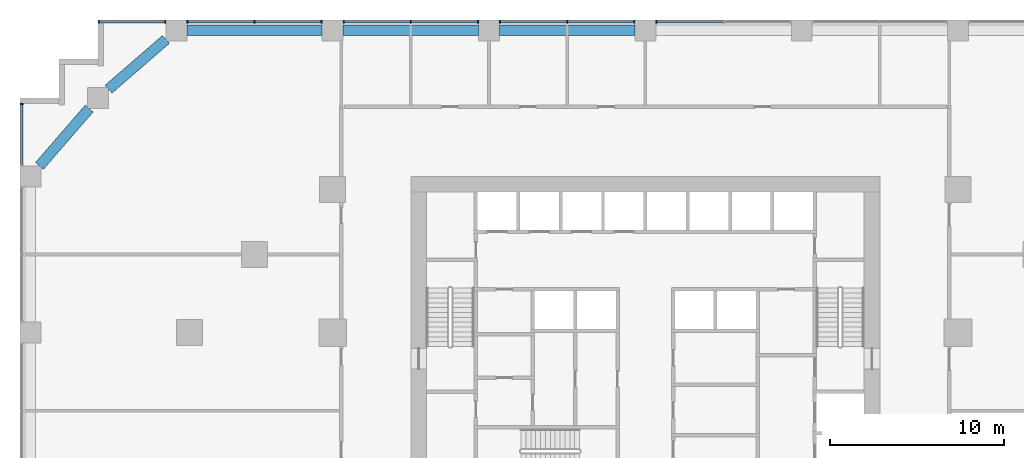
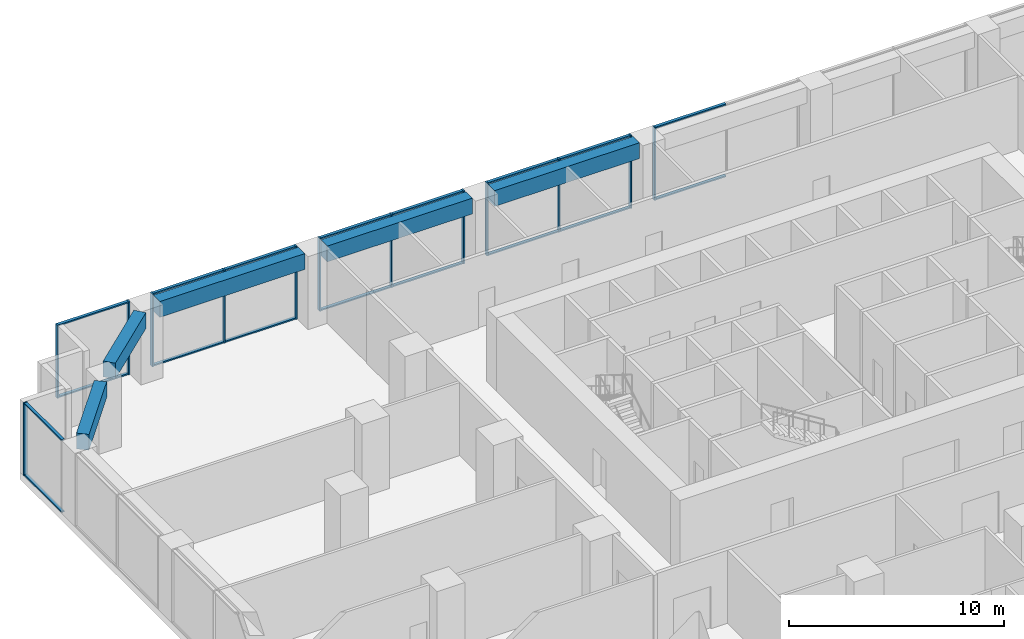
# One storey, part 8 of 18: 31 members, 5 beams, 6 elements without a shape of their own.
"""IFC4 building model written with IfcOpenShell, lengths in metres."""

from ifc_helpers import new_model, si_unit, direction, frame, origin, origin_2d, place, context, subcontext, project, spatial, rectangle, extrude, material, material_profile, profile_set, type_object, element, aggregate, save


model = new_model("IFC4")

# Units and contexts
model_context = context("Model", 3, precision=1e-05, world=origin(), true_north=direction((0.0, 1.0)))
body_context = subcontext(model_context, "Body", "Model", "MODEL_VIEW")
ifc_project = project(units=[si_unit("LENGTHUNIT", "METRE"), si_unit("AREAUNIT", "SQUARE_METRE"), si_unit("VOLUMEUNIT", "CUBIC_METRE"), si_unit("PLANEANGLEUNIT", "RADIAN"), si_unit("MASSUNIT", "GRAM", prefix="KILO")], contexts=[model_context])

# Site, building, storey
site_placement = place(None, origin())
site = spatial("IfcSite", under=ifc_project, at=site_placement, CompositionType="ELEMENT")
building_placement = place(site_placement, origin())
building = spatial("IfcBuilding", under=site, at=building_placement, Name="Orbiselva Terraces", CompositionType="ELEMENT")
storey_placement = place(building_placement, frame((0.0, 0.0, 6.0)))
storey = spatial("IfcBuildingStorey", under=building, at=storey_placement, Name="L01", CompositionType="ELEMENT", Elevation=6.0)

# Curtain wall, member
ifc_material_1 = material(Name="Clear low-e glazing in aluminium frame", Category="aluminium")
curtain_wall_type = type_object("IfcCurtainWallType", Name="ENV-CW-LOBBY", PredefinedType="NOTDEFINED", material=ifc_material_1)
curtain_wall_1_placement = place(storey_placement, origin())
curtain_wall_1 = element("IfcCurtainWall", 1, at=curtain_wall_1_placement, inside=storey, type_object=curtain_wall_type, Name="Curtain wall L01 N", PredefinedType="NOTDEFINED")
ifc_material_2 = material(Name="Anodised aluminium", Category="aluminium")
ifc_material_profile_1 = material_profile(ifc_material_2, rectangle(XDim=0.2, YDim=0.075, at=origin_2d()), Name="AL 75x200")
ifc_profile_set_1 = profile_set([ifc_material_profile_1], Name="Anodised aluminium")
member_type_1 = type_object("IfcMemberType", Name="ENV-CW-LOBBY-MULLION-75x200", PredefinedType="MULLION", material=ifc_profile_set_1)
member_1_placement = place(storey_placement, frame((0.6375, 31.4, 0.0), z_axis=(0.0, 0.0, 1.0), x_axis=(0.0, -1.0, 0.0)))
member_1 = element("IfcMember", 2, at=member_1_placement, type_object=member_type_1, Name="CW1 mullion 3", PredefinedType="MULLION", context=body_context, shape_type="SweptSolid", body=[
    extrude(rectangle(XDim=0.2, YDim=0.075, at=origin_2d()), origin(), (0.0, 0.0, 1.0), 4.15),
])

# Curtain wall, members
curtain_wall_2_placement = place(storey_placement, origin())
curtain_wall_2 = element("IfcCurtainWall", 3, at=curtain_wall_2_placement, inside=storey, type_object=curtain_wall_type, Name="Curtain wall L01 N", PredefinedType="NOTDEFINED")
member_2_placement = place(storey_placement, frame((-0.6375, 31.4, 0.0), z_axis=(0.0, 0.0, 1.0), x_axis=(0.0, -1.0, 0.0)))
member_2 = element("IfcMember", 4, at=member_2_placement, type_object=member_type_1, Name="CW1 mullion 1", PredefinedType="MULLION", context=body_context, shape_type="SweptSolid", body=[
    extrude(rectangle(XDim=0.2, YDim=0.075, at=origin_2d()), origin(), (0.0, 0.0, 1.0), 4.15),
])
member_3_placement = place(storey_placement, frame((-4.5, 31.4, 0.0), z_axis=(0.0, 0.0, 1.0), x_axis=(0.0, -1.0, 0.0)))
member_3 = element("IfcMember", 5, at=member_3_placement, type_object=member_type_1, Name="CW1 mullion 2", PredefinedType="MULLION", context=body_context, shape_type="SweptSolid", body=[
    extrude(rectangle(XDim=0.2, YDim=0.075, at=origin_2d()), origin(), (0.0, 0.0, 1.0), 4.15),
])
member_4_placement = place(storey_placement, frame((-8.3625, 31.4, 0.0), z_axis=(0.0, 0.0, 1.0), x_axis=(0.0, -1.0, 0.0)))
member_4 = element("IfcMember", 6, at=member_4_placement, type_object=member_type_1, Name="CW1 mullion 3", PredefinedType="MULLION", context=body_context, shape_type="SweptSolid", body=[
    extrude(rectangle(XDim=0.2, YDim=0.075, at=origin_2d()), origin(), (0.0, 0.0, 1.0), 4.15),
])

curtain_wall_3_placement = place(storey_placement, origin())
curtain_wall_3 = element("IfcCurtainWall", 7, at=curtain_wall_3_placement, inside=storey, type_object=curtain_wall_type, Name="Curtain wall L01 N", PredefinedType="NOTDEFINED")
member_5_placement = place(storey_placement, frame((-9.6375, 31.4, 0.0), z_axis=(0.0, 0.0, 1.0), x_axis=(0.0, -1.0, 0.0)))
member_5 = element("IfcMember", 8, at=member_5_placement, type_object=member_type_1, Name="CW1 mullion 1", PredefinedType="MULLION", context=body_context, shape_type="SweptSolid", body=[
    extrude(rectangle(XDim=0.2, YDim=0.075, at=origin_2d()), origin(), (0.0, 0.0, 1.0), 4.15),
])
member_6_placement = place(storey_placement, frame((-13.5, 31.4, 0.0), z_axis=(0.0, 0.0, 1.0), x_axis=(0.0, -1.0, 0.0)))
member_6 = element("IfcMember", 9, at=member_6_placement, type_object=member_type_1, Name="CW1 mullion 2", PredefinedType="MULLION", context=body_context, shape_type="SweptSolid", body=[
    extrude(rectangle(XDim=0.2, YDim=0.075, at=origin_2d()), origin(), (0.0, 0.0, 1.0), 4.15),
])
member_7_placement = place(storey_placement, frame((-17.3625, 31.4, 0.0), z_axis=(0.0, 0.0, 1.0), x_axis=(0.0, -1.0, 0.0)))
member_7 = element("IfcMember", 10, at=member_7_placement, type_object=member_type_1, Name="CW1 mullion 3", PredefinedType="MULLION", context=body_context, shape_type="SweptSolid", body=[
    extrude(rectangle(XDim=0.2, YDim=0.075, at=origin_2d()), origin(), (0.0, 0.0, 1.0), 4.15),
])

curtain_wall_4_placement = place(storey_placement, origin())
curtain_wall_4 = element("IfcCurtainWall", 11, at=curtain_wall_4_placement, inside=storey, type_object=curtain_wall_type, Name="Curtain wall L01 N", PredefinedType="NOTDEFINED")
member_8_placement = place(storey_placement, frame((-18.6375, 31.4, 0.0), z_axis=(0.0, 0.0, 1.0), x_axis=(0.0, -1.0, 0.0)))
member_8 = element("IfcMember", 12, at=member_8_placement, type_object=member_type_1, Name="CW1 mullion 1", PredefinedType="MULLION", context=body_context, shape_type="SweptSolid", body=[
    extrude(rectangle(XDim=0.2, YDim=0.075, at=origin_2d()), origin(), (0.0, 0.0, 1.0), 4.15),
])
member_9_placement = place(storey_placement, frame((-22.5, 31.4, 0.0), z_axis=(0.0, 0.0, 1.0), x_axis=(0.0, -1.0, 0.0)))
member_9 = element("IfcMember", 13, at=member_9_placement, type_object=member_type_1, Name="CW1 mullion 2", PredefinedType="MULLION", context=body_context, shape_type="SweptSolid", body=[
    extrude(rectangle(XDim=0.2, YDim=0.075, at=origin_2d()), origin(), (0.0, 0.0, 1.0), 4.15),
])
member_10_placement = place(storey_placement, frame((-26.3625, 31.4, 0.0), z_axis=(0.0, 0.0, 1.0), x_axis=(0.0, -1.0, 0.0)))
member_10 = element("IfcMember", 14, at=member_10_placement, type_object=member_type_1, Name="CW1 mullion 3", PredefinedType="MULLION", context=body_context, shape_type="SweptSolid", body=[
    extrude(rectangle(XDim=0.2, YDim=0.075, at=origin_2d()), origin(), (0.0, 0.0, 1.0), 4.15),
])

curtain_wall_5_placement = place(storey_placement, origin())
curtain_wall_5 = element("IfcCurtainWall", 15, at=curtain_wall_5_placement, inside=storey, type_object=curtain_wall_type, Name="Curtain wall L01 N", PredefinedType="NOTDEFINED")
member_11_placement = place(storey_placement, frame((-27.6375, 31.4, 0.0), z_axis=(0.0, 0.0, 1.0), x_axis=(0.0, -1.0, 0.0)))
member_11 = element("IfcMember", 16, at=member_11_placement, type_object=member_type_1, Name="CW1 mullion 1", PredefinedType="MULLION", context=body_context, shape_type="SweptSolid", body=[
    extrude(rectangle(XDim=0.2, YDim=0.075, at=origin_2d()), origin(), (0.0, 0.0, 1.0), 4.15),
])
member_12_placement = place(storey_placement, frame((-31.4625, 31.4, 0.0), z_axis=(0.0, 0.0, 1.0), x_axis=(0.0, -1.0, 0.0)))
member_12 = element("IfcMember", 17, at=member_12_placement, type_object=member_type_1, Name="CW1 mullion 2", PredefinedType="MULLION", context=body_context, shape_type="SweptSolid", body=[
    extrude(rectangle(XDim=0.2, YDim=0.075, at=origin_2d()), origin(), (0.0, 0.0, 1.0), 4.15),
])

# Curtain wall, member
curtain_wall_6_placement = place(storey_placement, origin())
curtain_wall_6 = element("IfcCurtainWall", 18, at=curtain_wall_6_placement, inside=storey, type_object=curtain_wall_type, Name="Curtain wall L01 W", PredefinedType="NOTDEFINED")
member_13_placement = place(storey_placement, frame((-35.9, 26.6625, 0.0), z_axis=(0.0, 0.0, 1.0), x_axis=(1.0, 0.0, 0.0)))
member_13 = element("IfcMember", 19, at=member_13_placement, type_object=member_type_1, Name="CW1 mullion 1", PredefinedType="MULLION", context=body_context, shape_type="SweptSolid", body=[
    extrude(rectangle(XDim=0.2, YDim=0.075, at=origin_2d()), origin(), (0.0, 0.0, 1.0), 4.15),
])

# Member
ifc_material_profile_2 = material_profile(ifc_material_2, rectangle(XDim=0.16, YDim=0.075, at=origin_2d()), Name="AL 75x160")
ifc_profile_set_2 = profile_set([ifc_material_profile_2], Name="Anodised aluminium")
member_type_2 = type_object("IfcMemberType", Name="ENV-CW-LOBBY-TRANSOM-75x160", PredefinedType="USERDEFINED", material=ifc_profile_set_2)
member_14_placement = place(storey_placement, frame((4.4625, 31.4, 0.0375), z_axis=(-1.0, 0.0, 0.0), x_axis=(0.0, -1.0, 0.0)))
member_14 = element("IfcMember", 20, at=member_14_placement, type_object=member_type_2, Name="CW1 transom 2.1", ObjectType="TRANSOM", PredefinedType="USERDEFINED", context=body_context, shape_type="SweptSolid", body=[
    extrude(rectangle(XDim=0.16, YDim=0.075, at=origin_2d()), origin(), (0.0, 0.0, 1.0), 3.7875),
])

member_15_placement = place(storey_placement, frame((4.4625, 31.4, 4.1125), z_axis=(-1.0, 0.0, 0.0), x_axis=(0.0, -1.0, 0.0)))
member_15 = element("IfcMember", 21, at=member_15_placement, type_object=member_type_2, Name="CW1 transom 2.2", ObjectType="TRANSOM", PredefinedType="USERDEFINED", context=body_context, shape_type="SweptSolid", body=[
    extrude(rectangle(XDim=0.16, YDim=0.075, at=origin_2d()), origin(), (0.0, 0.0, 1.0), 3.7875),
])

aggregate(curtain_wall_1, [member_1, member_14, member_15])

member_16_placement = place(storey_placement, frame((-0.675, 31.4, 0.0375), z_axis=(-1.0, 0.0, 0.0), x_axis=(0.0, -1.0, 0.0)))
member_16 = element("IfcMember", 22, at=member_16_placement, type_object=member_type_2, Name="CW1 transom 1.1", ObjectType="TRANSOM", PredefinedType="USERDEFINED", context=body_context, shape_type="SweptSolid", body=[
    extrude(rectangle(XDim=0.16, YDim=0.075, at=origin_2d()), origin(), (0.0, 0.0, 1.0), 3.7875),
])

member_17_placement = place(storey_placement, frame((-0.675, 31.4, 4.1125), z_axis=(-1.0, 0.0, 0.0), x_axis=(0.0, -1.0, 0.0)))
member_17 = element("IfcMember", 23, at=member_17_placement, type_object=member_type_2, Name="CW1 transom 1.2", ObjectType="TRANSOM", PredefinedType="USERDEFINED", context=body_context, shape_type="SweptSolid", body=[
    extrude(rectangle(XDim=0.16, YDim=0.075, at=origin_2d()), origin(), (0.0, 0.0, 1.0), 3.7875),
])

member_18_placement = place(storey_placement, frame((-4.5375, 31.4, 0.0375), z_axis=(-1.0, 0.0, 0.0), x_axis=(0.0, -1.0, 0.0)))
member_18 = element("IfcMember", 24, at=member_18_placement, type_object=member_type_2, Name="CW1 transom 2.1", ObjectType="TRANSOM", PredefinedType="USERDEFINED", context=body_context, shape_type="SweptSolid", body=[
    extrude(rectangle(XDim=0.16, YDim=0.075, at=origin_2d()), origin(), (0.0, 0.0, 1.0), 3.7875),
])

member_19_placement = place(storey_placement, frame((-4.5375, 31.4, 4.1125), z_axis=(-1.0, 0.0, 0.0), x_axis=(0.0, -1.0, 0.0)))
member_19 = element("IfcMember", 25, at=member_19_placement, type_object=member_type_2, Name="CW1 transom 2.2", ObjectType="TRANSOM", PredefinedType="USERDEFINED", context=body_context, shape_type="SweptSolid", body=[
    extrude(rectangle(XDim=0.16, YDim=0.075, at=origin_2d()), origin(), (0.0, 0.0, 1.0), 3.7875),
])

aggregate(curtain_wall_2, [member_2, member_3, member_4, member_16, member_17, member_18, member_19])

member_20_placement = place(storey_placement, frame((-9.675, 31.4, 0.0375), z_axis=(-1.0, 0.0, 0.0), x_axis=(0.0, -1.0, 0.0)))
member_20 = element("IfcMember", 26, at=member_20_placement, type_object=member_type_2, Name="CW1 transom 1.1", ObjectType="TRANSOM", PredefinedType="USERDEFINED", context=body_context, shape_type="SweptSolid", body=[
    extrude(rectangle(XDim=0.16, YDim=0.075, at=origin_2d()), origin(), (0.0, 0.0, 1.0), 3.7875),
])

member_21_placement = place(storey_placement, frame((-9.675, 31.4, 4.1125), z_axis=(-1.0, 0.0, 0.0), x_axis=(0.0, -1.0, 0.0)))
member_21 = element("IfcMember", 27, at=member_21_placement, type_object=member_type_2, Name="CW1 transom 1.2", ObjectType="TRANSOM", PredefinedType="USERDEFINED", context=body_context, shape_type="SweptSolid", body=[
    extrude(rectangle(XDim=0.16, YDim=0.075, at=origin_2d()), origin(), (0.0, 0.0, 1.0), 3.7875),
])

member_22_placement = place(storey_placement, frame((-13.5375, 31.4, 0.0375), z_axis=(-1.0, 0.0, 0.0), x_axis=(0.0, -1.0, 0.0)))
member_22 = element("IfcMember", 28, at=member_22_placement, type_object=member_type_2, Name="CW1 transom 2.1", ObjectType="TRANSOM", PredefinedType="USERDEFINED", context=body_context, shape_type="SweptSolid", body=[
    extrude(rectangle(XDim=0.16, YDim=0.075, at=origin_2d()), origin(), (0.0, 0.0, 1.0), 3.7875),
])

member_23_placement = place(storey_placement, frame((-13.5375, 31.4, 4.1125), z_axis=(-1.0, 0.0, 0.0), x_axis=(0.0, -1.0, 0.0)))
member_23 = element("IfcMember", 29, at=member_23_placement, type_object=member_type_2, Name="CW1 transom 2.2", ObjectType="TRANSOM", PredefinedType="USERDEFINED", context=body_context, shape_type="SweptSolid", body=[
    extrude(rectangle(XDim=0.16, YDim=0.075, at=origin_2d()), origin(), (0.0, 0.0, 1.0), 3.7875),
])

aggregate(curtain_wall_3, [member_5, member_6, member_7, member_20, member_21, member_22, member_23])

member_24_placement = place(storey_placement, frame((-18.675, 31.4, 0.0375), z_axis=(-1.0, 0.0, 0.0), x_axis=(0.0, -1.0, 0.0)))
member_24 = element("IfcMember", 30, at=member_24_placement, type_object=member_type_2, Name="CW1 transom 1.1", ObjectType="TRANSOM", PredefinedType="USERDEFINED", context=body_context, shape_type="SweptSolid", body=[
    extrude(rectangle(XDim=0.16, YDim=0.075, at=origin_2d()), origin(), (0.0, 0.0, 1.0), 3.7875),
])

member_25_placement = place(storey_placement, frame((-18.675, 31.4, 4.1125), z_axis=(-1.0, 0.0, 0.0), x_axis=(0.0, -1.0, 0.0)))
member_25 = element("IfcMember", 31, at=member_25_placement, type_object=member_type_2, Name="CW1 transom 1.2", ObjectType="TRANSOM", PredefinedType="USERDEFINED", context=body_context, shape_type="SweptSolid", body=[
    extrude(rectangle(XDim=0.16, YDim=0.075, at=origin_2d()), origin(), (0.0, 0.0, 1.0), 3.7875),
])

member_26_placement = place(storey_placement, frame((-22.5375, 31.4, 0.0375), z_axis=(-1.0, 0.0, 0.0), x_axis=(0.0, -1.0, 0.0)))
member_26 = element("IfcMember", 32, at=member_26_placement, type_object=member_type_2, Name="CW1 transom 2.1", ObjectType="TRANSOM", PredefinedType="USERDEFINED", context=body_context, shape_type="SweptSolid", body=[
    extrude(rectangle(XDim=0.16, YDim=0.075, at=origin_2d()), origin(), (0.0, 0.0, 1.0), 3.7875),
])

member_27_placement = place(storey_placement, frame((-22.5375, 31.4, 4.1125), z_axis=(-1.0, 0.0, 0.0), x_axis=(0.0, -1.0, 0.0)))
member_27 = element("IfcMember", 33, at=member_27_placement, type_object=member_type_2, Name="CW1 transom 2.2", ObjectType="TRANSOM", PredefinedType="USERDEFINED", context=body_context, shape_type="SweptSolid", body=[
    extrude(rectangle(XDim=0.16, YDim=0.075, at=origin_2d()), origin(), (0.0, 0.0, 1.0), 3.7875),
])

aggregate(curtain_wall_4, [member_8, member_9, member_10, member_24, member_25, member_26, member_27])

member_28_placement = place(storey_placement, frame((-27.675, 31.4, 0.0375), z_axis=(-1.0, 0.0, 0.0), x_axis=(0.0, -1.0, 0.0)))
member_28 = element("IfcMember", 34, at=member_28_placement, type_object=member_type_2, Name="CW1 transom 1.1", ObjectType="TRANSOM", PredefinedType="USERDEFINED", context=body_context, shape_type="SweptSolid", body=[
    extrude(rectangle(XDim=0.16, YDim=0.075, at=origin_2d()), origin(), (0.0, 0.0, 1.0), 3.75),
])

member_29_placement = place(storey_placement, frame((-27.675, 31.4, 4.1125), z_axis=(-1.0, 0.0, 0.0), x_axis=(0.0, -1.0, 0.0)))
member_29 = element("IfcMember", 35, at=member_29_placement, type_object=member_type_2, Name="CW1 transom 1.2", ObjectType="TRANSOM", PredefinedType="USERDEFINED", context=body_context, shape_type="SweptSolid", body=[
    extrude(rectangle(XDim=0.16, YDim=0.075, at=origin_2d()), origin(), (0.0, 0.0, 1.0), 3.75),
])

aggregate(curtain_wall_5, [member_11, member_12, member_28, member_29])

member_30_placement = place(storey_placement, frame((-35.9, 26.625, 0.0375), z_axis=(0.0, -1.0, 0.0), x_axis=(1.0, 0.0, 0.0)))
member_30 = element("IfcMember", 36, at=member_30_placement, type_object=member_type_2, Name="CW1 transom 1.1", ObjectType="TRANSOM", PredefinedType="USERDEFINED", context=body_context, shape_type="SweptSolid", body=[
    extrude(rectangle(XDim=0.16, YDim=0.075, at=origin_2d()), origin(), (0.0, 0.0, 1.0), 3.45),
])

member_31_placement = place(storey_placement, frame((-35.9, 26.625, 4.1125), z_axis=(0.0, -1.0, 0.0), x_axis=(1.0, 0.0, 0.0)))
member_31 = element("IfcMember", 37, at=member_31_placement, type_object=member_type_2, Name="CW1 transom 1.2", ObjectType="TRANSOM", PredefinedType="USERDEFINED", context=body_context, shape_type="SweptSolid", body=[
    extrude(rectangle(XDim=0.16, YDim=0.075, at=origin_2d()), origin(), (0.0, 0.0, 1.0), 3.45),
])

aggregate(curtain_wall_6, [member_13, member_30, member_31])

# Beams
ifc_material_3 = material(Name="Concrete C60/75", Category="concrete")
ifc_material_profile_3 = material_profile(ifc_material_3, rectangle(XDim=0.6, YDim=0.9, at=origin_2d()), Name="RC 600x900")
ifc_profile_set_3 = profile_set([ifc_material_profile_3], Name="Concrete C60/75")
beam_type = type_object("IfcBeamType", Name="PODIUM GIRDER RC 600x900", PredefinedType="BEAM", material=ifc_profile_set_3)
for number, where, z_axis, x_axis, name in (
    (38, (-0.6, 30.9, 3.7), (-1.0, 0.0, 0.0), (0.0, -1.0, 0.0), "Podium girder 23"),
    (39, (-9.6, 30.9, 3.7), (-1.0, 0.0, 0.0), (0.0, -1.0, 0.0), "Podium girder 24"),
    (40, (-18.6, 30.9, 3.7), (-1.0, 0.0, 0.0), (0.0, -1.0, 0.0), "Podium girder 25"),
):
    element("IfcBeam", number, at=place(storey_placement, frame(where, z_axis=z_axis, x_axis=x_axis)), inside=storey, type_object=beam_type, Name=name, PredefinedType="BEAM", context=body_context, shape_type="SweptSolid", body=[
        extrude(rectangle(XDim=0.6, YDim=0.9, at=origin_2d()), origin(), (0.0, 0.0, 1.0), 7.8),
    ])
for number, where, z_axis, x_axis, name in (
    (41, (-27.6, 30.38, 3.7), (-0.75568908279, -0.654930538418, 0.0), (0.654930538418, -0.75568908279, 0.0), "Podium girder 26"),
    (42, (-32.02, 26.4, 3.7), (-0.654930538418, -0.75568908279, 0.0), (0.75568908279, -0.654930538418, 0.0), "Podium girder 27"),
):
    element("IfcBeam", number, at=place(storey_placement, frame(where, z_axis=z_axis, x_axis=x_axis)), inside=storey, type_object=beam_type, Name=name, PredefinedType="BEAM", context=body_context, shape_type="SweptSolid", body=[
        extrude(rectangle(XDim=0.6, YDim=0.9, at=origin_2d()), origin(), (0.0, 0.0, 1.0), 4.366875),
    ])

save(model, "model.ifc")
